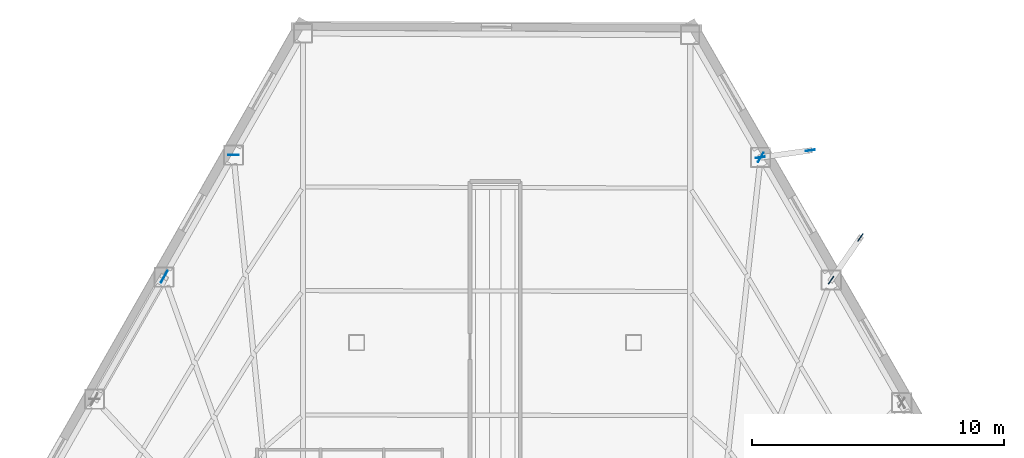
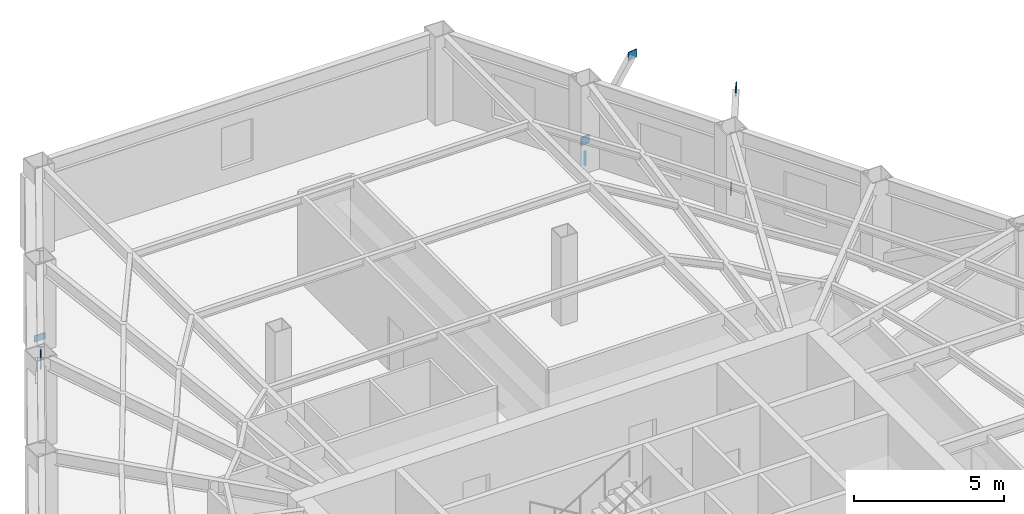
# One storey, part 8 of 13: 7 plates.
"""IFC4 building model written with IfcOpenShell, lengths in metres."""

from ifc_helpers import new_model, si_unit, direction, frame, origin, origin_2d, place, context, subcontext, project, spatial, rectangle, extrude, material, layer, layer_set, type_object, element, save


model = new_model("IFC4")

# Units and contexts
model_context = context("Model", 3, precision=1e-05, world=origin(), true_north=direction((0.0, 1.0)))
body_context = subcontext(model_context, "Body", "Model", "MODEL_VIEW")
ifc_project = project(units=[si_unit("LENGTHUNIT", "METRE"), si_unit("AREAUNIT", "SQUARE_METRE"), si_unit("VOLUMEUNIT", "CUBIC_METRE"), si_unit("PLANEANGLEUNIT", "RADIAN"), si_unit("MASSUNIT", "GRAM", prefix="KILO")], contexts=[model_context])

# Site, building, storey
site_placement = place(None, origin())
site = spatial("IfcSite", under=ifc_project, at=site_placement, CompositionType="ELEMENT")
building_placement = place(site_placement, origin())
building = spatial("IfcBuilding", under=site, at=building_placement, Name="Kavelnor Concourse Tower", CompositionType="ELEMENT")
storey_placement = place(building_placement, frame((0.0, 0.0, 36.800048828125)))
storey = spatial("IfcBuildingStorey", under=building, at=storey_placement, Name="L09", CompositionType="ELEMENT", Elevation=36.800048828125)

# Plates
ifc_material = material(Name="Steel Grade 350", Category="steel")
ifc_layer_1 = layer(ifc_material, 0.028076171875, Name="Steel Grade 350")
ifc_layer_set_1 = layer_set([ifc_layer_1], Name="Steel Grade 350")
plate_type_1 = type_object("IfcPlateType", Name="PL-GUSSET-FOLD", PredefinedType="USERDEFINED", material=ifc_layer_set_1)
for number, where, z_axis, x_axis, name in (
    (1, (51.337646484375, 34.27880859375, 0.8798828125), (0.0, 0.0, 1.0), (0.568274660389, 0.822838933425, 0.0), "L09 Balcony Strut Gusset GP4 2-A End Gusset A"),
    (2, (52.5107421875, 35.9775390625, 3.48486328125), (0.0, 0.0, 1.0), (0.568274660389, 0.822838933425, 0.0), "L09 Balcony Strut Gusset GP4 2-A End Gusset B"),
    (3, (48.5322265625, 39.154052734375, 0.8798828125), (0.0, 0.0, 1.0), (0.990316588987, 0.138827423723, 0.0), "L09 Balcony Strut Gusset GP4 2-B End Gusset A"),
    (4, (50.51318359375, 39.431884765625, 3.48486328125), (0.0, 0.0, 1.0), (0.990316588987, 0.138827423723, 0.0), "L09 Balcony Strut Gusset GP4 2-B End Gusset B"),
):
    element("IfcPlate", number, at=place(storey_placement, frame(where, z_axis=z_axis, x_axis=x_axis)), inside=storey, type_object=plate_type_1, Name=name, ObjectType="GUSSET_PLATE", PredefinedType="USERDEFINED", context=body_context, shape_type="SweptSolid", body=[
        extrude(rectangle(XDim=0.360107421875, YDim=0.028076171875, at=origin_2d()), origin(), (0.0, 0.0, 1.0), 0.340087890625),
    ])
ifc_layer_2 = layer(ifc_material, 0.031982421875, Name="Steel Grade 350")
ifc_layer_set_2 = layer_set([ifc_layer_2], Name="Steel Grade 350")
plate_type_2 = type_object("IfcPlateType", Name="PL-GUSSET-TUBE-Z1", PredefinedType="USERDEFINED", material=ifc_layer_set_2)
plate_placement = place(storey_placement, frame((24.857421875, 34.411376953125, 3.073974609375), z_axis=(0.0, 0.0, 1.0), x_axis=(0.495155428655, 0.868804409216, 0.0)))
element("IfcPlate", 5, at=plate_placement, inside=storey, type_object=plate_type_2, Name="L09 Tube Brace Gusset GP3 F0-B2 End Gusset B", ObjectType="GUSSET_PLATE", PredefinedType="USERDEFINED", context=body_context, shape_type="SweptSolid", body=[
    extrude(rectangle(XDim=0.52001953125, YDim=0.031982421875, at=origin_2d()), origin(), (0.0, 0.0, 1.0), 0.419921875),
])
ifc_layer_3 = layer(ifc_material, 0.02490234375, Name="Steel Grade 350")
ifc_layer_set_3 = layer_set([ifc_layer_3], Name="Steel Grade 350")
plate_type_3 = type_object("IfcPlateType", Name="PL-SPLICE-FLANGE", PredefinedType="SHEET", material=ifc_layer_set_3)
for number, where, z_axis, x_axis, name in (
    (6, (27.611083984375, 39.243896484375, 0.169921875), (0.0, 0.0, 1.0), (1.0, 0.0, 0.0), "L09 Column Flange Splice Plate F0-B1"),
    (7, (48.544189453125, 39.15576171875, 0.169921875), (0.0, 0.0, 1.0), (-0.5, -0.866025403784, 0.0), "L09 Column Flange Splice Plate F2-B5"),
):
    element("IfcPlate", number, at=place(storey_placement, frame(where, z_axis=z_axis, x_axis=x_axis)), inside=storey, type_object=plate_type_3, Name=name, PredefinedType="SHEET", context=body_context, shape_type="SweptSolid", body=[
        extrude(rectangle(XDim=0.419921875, YDim=0.02490234375, at=origin_2d()), origin(), (0.0, 0.0, 1.0), 0.260009765625),
    ])

save(model, "model.ifc")
